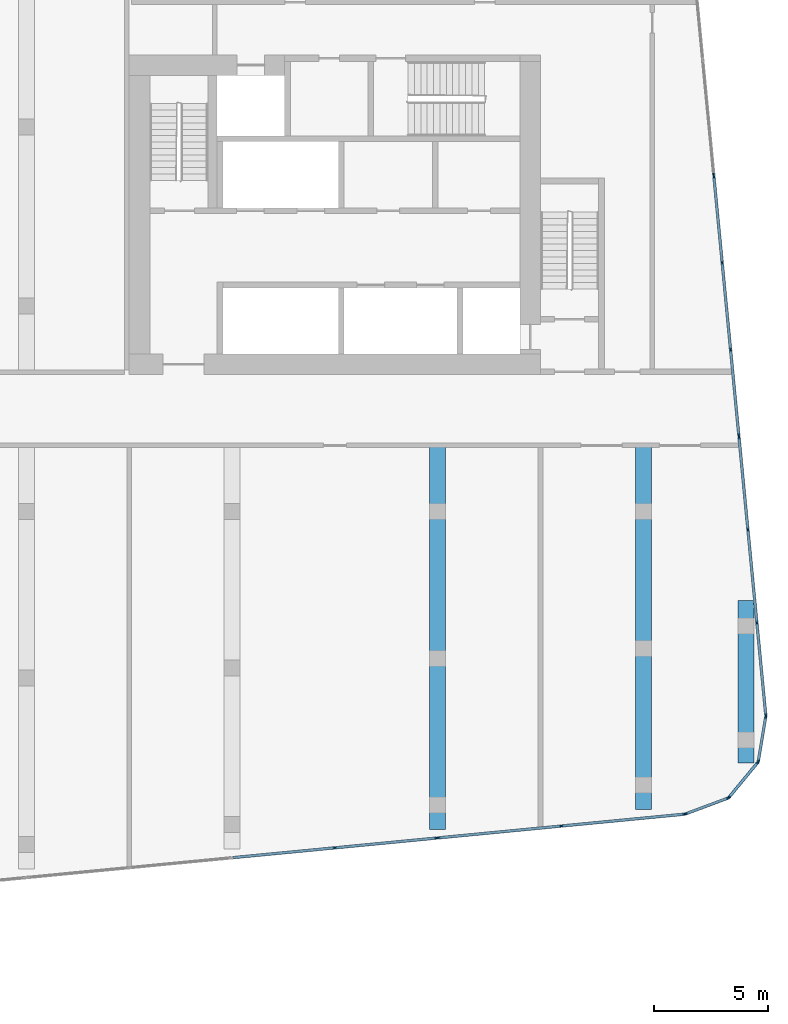
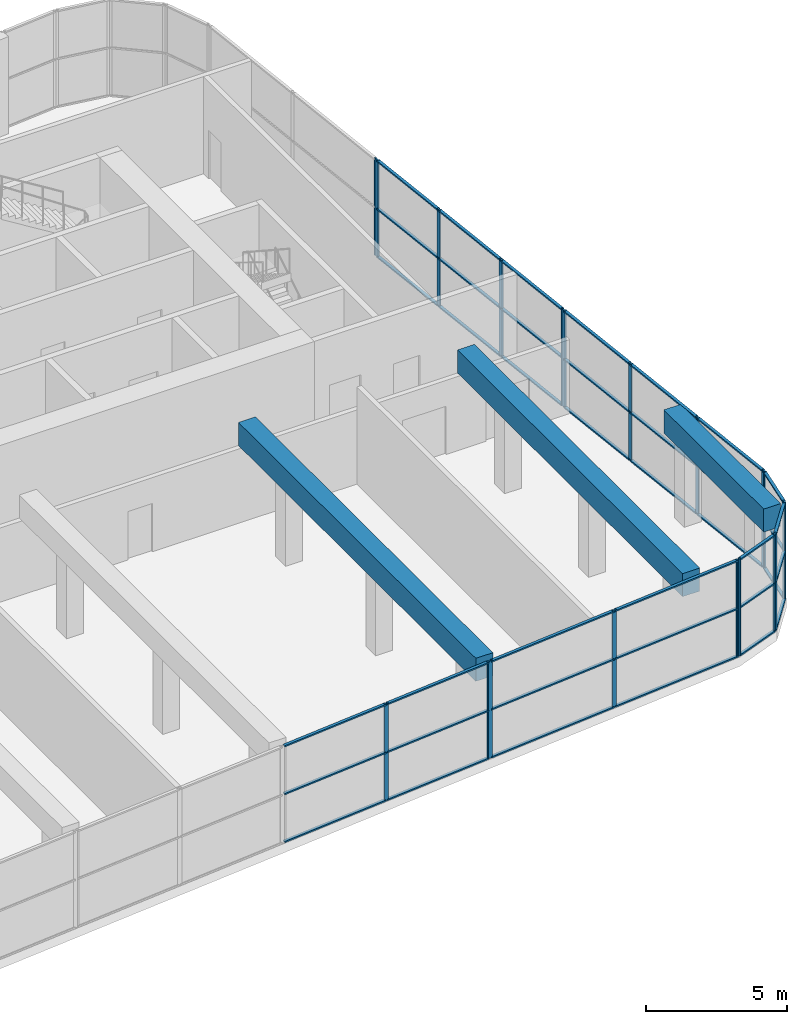
# One storey, part 8 of 21: 59 members, 3 beams, 8 elements without a shape of their own.
"""IFC4 building model written with IfcOpenShell, lengths in metres."""

from ifc_helpers import new_model, si_unit, direction, frame, origin, origin_2d, place, context, subcontext, project, spatial, rectangle, extrude, material, material_profile, profile_set, type_object, element, aggregate, save


model = new_model("IFC4")

# Units and contexts
model_context = context("Model", 3, precision=1e-05, world=origin(), true_north=direction((0.0, 1.0)))
body_context = subcontext(model_context, "Body", "Model", "MODEL_VIEW")
ifc_project = project(units=[si_unit("LENGTHUNIT", "METRE"), si_unit("AREAUNIT", "SQUARE_METRE"), si_unit("VOLUMEUNIT", "CUBIC_METRE"), si_unit("PLANEANGLEUNIT", "RADIAN"), si_unit("MASSUNIT", "GRAM", prefix="KILO")], contexts=[model_context])

# Site, building, storey
site_placement = place(None, origin())
site = spatial("IfcSite", under=ifc_project, at=site_placement, CompositionType="ELEMENT")
building_placement = place(site_placement, origin())
building = spatial("IfcBuilding", under=site, at=building_placement, Name="Kajstack Hotel Tower", CompositionType="ELEMENT")
storey_placement = place(building_placement, frame((0.0, 0.0, 162.39990234375)))
storey = spatial("IfcBuildingStorey", under=building, at=storey_placement, Name="L37", CompositionType="ELEMENT", Elevation=162.39990234375)

# Curtain wall, members
ifc_material_1 = material(Name="Aluminium-framed curtain wall, insulated glass with fritted edge", Category="aluminium")
curtain_wall_type = type_object("IfcCurtainWallType", Name="CW-SPA", PredefinedType="NOTDEFINED", material=ifc_material_1)
curtain_wall_1_placement = place(storey_placement, origin())
curtain_wall_1 = element("IfcCurtainWall", 1, at=curtain_wall_1_placement, inside=storey, type_object=curtain_wall_type, Name="Curtain wall CU7 L37-04-02-3", PredefinedType="NOTDEFINED")
ifc_material_2 = material(Name="Aluminium", Category="aluminium")
ifc_material_profile_1 = material_profile(ifc_material_2, rectangle(XDim=0.06005859375, YDim=0.179931640625, at=origin_2d()), Name="Aluminium mullion 60 x 180")
ifc_profile_set_1 = profile_set([ifc_material_profile_1], Name="Aluminium")
member_type_1 = type_object("IfcMemberType", Name="CW-M-SPA", PredefinedType="MULLION", material=ifc_profile_set_1)
member_1_placement = place(storey_placement, frame((22.49267578125, -19.21142578125, 0.0), z_axis=(0.0, 0.0, 1.0), x_axis=(-0.095845332373, 0.995396238823, 0.0)))
member_1 = element("IfcMember", 2, at=member_1_placement, type_object=member_type_1, Name="CU7 mullion 2", PredefinedType="MULLION", context=body_context, shape_type="SweptSolid", body=[
    extrude(rectangle(XDim=0.06005859375, YDim=0.179931640625, at=origin_2d()), origin(), (0.0, 0.0, 1.0), 4.22021484375),
])
member_2_placement = place(storey_placement, frame((26.962890625, -18.781005859375, 0.0), z_axis=(0.0, 0.0, 1.0), x_axis=(-0.095845332373, 0.995396238823, 0.0)))
member_2 = element("IfcMember", 3, at=member_2_placement, type_object=member_type_1, Name="CU7 mullion 3", PredefinedType="MULLION", context=body_context, shape_type="SweptSolid", body=[
    extrude(rectangle(XDim=0.06005859375, YDim=0.179931640625, at=origin_2d()), origin(), (0.0, 0.0, 1.0), 4.22021484375),
])

curtain_wall_2_placement = place(storey_placement, origin())
curtain_wall_2 = element("IfcCurtainWall", 4, at=curtain_wall_2_placement, inside=storey, type_object=curtain_wall_type, Name="Curtain wall CU7 L37-04-02-4", PredefinedType="NOTDEFINED")
member_3_placement = place(storey_placement, frame((27.022705078125, -18.775390625, 0.0), z_axis=(0.0, 0.0, 1.0), x_axis=(-0.095845408154, 0.995396231526, 0.0)))
member_3 = element("IfcMember", 5, at=member_3_placement, type_object=member_type_1, Name="CU7 mullion 1", PredefinedType="MULLION", context=body_context, shape_type="SweptSolid", body=[
    extrude(rectangle(XDim=0.06005859375, YDim=0.179931640625, at=origin_2d()), origin(), (0.0, 0.0, 1.0), 4.22021484375),
])
member_4_placement = place(storey_placement, frame((32.412841796875, -18.25634765625, 0.0), z_axis=(0.0, 0.0, 1.0), x_axis=(-0.095845408154, 0.995396231526, 0.0)))
member_4 = element("IfcMember", 6, at=member_4_placement, type_object=member_type_1, Name="CU7 mullion 2", PredefinedType="MULLION", context=body_context, shape_type="SweptSolid", body=[
    extrude(rectangle(XDim=0.06005859375, YDim=0.179931640625, at=origin_2d()), origin(), (0.0, 0.0, 1.0), 4.22021484375),
])
member_5_placement = place(storey_placement, frame((37.802978515625, -17.7373046875, 0.0), z_axis=(0.0, 0.0, 1.0), x_axis=(-0.095845408154, 0.995396231526, 0.0)))
member_5 = element("IfcMember", 7, at=member_5_placement, type_object=member_type_1, Name="CU7 mullion 3", PredefinedType="MULLION", context=body_context, shape_type="SweptSolid", body=[
    extrude(rectangle(XDim=0.06005859375, YDim=0.179931640625, at=origin_2d()), origin(), (0.0, 0.0, 1.0), 4.22021484375),
])

curtain_wall_3_placement = place(storey_placement, origin())
curtain_wall_3 = element("IfcCurtainWall", 8, at=curtain_wall_3_placement, inside=storey, type_object=curtain_wall_type, Name="Curtain wall CU7 L37-05-00-0", PredefinedType="NOTDEFINED")
member_6_placement = place(storey_placement, frame((37.842041015625, -17.728271484375, 0.0), z_axis=(0.0, 0.0, 1.0), x_axis=(-0.3502023187, 0.936674082046, 0.0)))
member_6 = element("IfcMember", 9, at=member_6_placement, type_object=member_type_1, Name="CU7 mullion 1", PredefinedType="MULLION", context=body_context, shape_type="SweptSolid", body=[
    extrude(rectangle(XDim=0.06005859375, YDim=0.179931640625, at=origin_2d()), origin(), (0.0, 0.0, 1.0), 4.22021484375),
])
member_7_placement = place(storey_placement, frame((39.72509765625, -17.024169921875, 0.0), z_axis=(0.0, 0.0, 1.0), x_axis=(-0.3502023187, 0.936674082046, 0.0)))
member_7 = element("IfcMember", 10, at=member_7_placement, type_object=member_type_1, Name="CU7 mullion 2", PredefinedType="MULLION", context=body_context, shape_type="SweptSolid", body=[
    extrude(rectangle(XDim=0.06005859375, YDim=0.179931640625, at=origin_2d()), origin(), (0.0, 0.0, 1.0), 4.22021484375),
])

curtain_wall_4_placement = place(storey_placement, origin())
curtain_wall_4 = element("IfcCurtainWall", 11, at=curtain_wall_4_placement, inside=storey, type_object=curtain_wall_type, Name="Curtain wall CU7 L37-06-00-0", PredefinedType="NOTDEFINED")
member_8_placement = place(storey_placement, frame((39.74072265625, -17.01318359375, 0.0), z_axis=(0.0, 0.0, 1.0), x_axis=(-0.771610892698, 0.636094828048, 0.0)))
member_8 = element("IfcMember", 12, at=member_8_placement, type_object=member_type_1, Name="CU7 mullion 1", PredefinedType="MULLION", context=body_context, shape_type="SweptSolid", body=[
    extrude(rectangle(XDim=0.06005859375, YDim=0.179931640625, at=origin_2d()), origin(), (0.0, 0.0, 1.0), 4.22021484375),
])
member_9_placement = place(storey_placement, frame((41.01953125, -15.461669921875, 0.0), z_axis=(0.0, 0.0, 1.0), x_axis=(-0.771610892698, 0.636094828048, 0.0)))
member_9 = element("IfcMember", 13, at=member_9_placement, type_object=member_type_1, Name="CU7 mullion 2", PredefinedType="MULLION", context=body_context, shape_type="SweptSolid", body=[
    extrude(rectangle(XDim=0.06005859375, YDim=0.179931640625, at=origin_2d()), origin(), (0.0, 0.0, 1.0), 4.22021484375),
])

curtain_wall_5_placement = place(storey_placement, origin())
curtain_wall_5 = element("IfcCurtainWall", 14, at=curtain_wall_5_placement, inside=storey, type_object=curtain_wall_type, Name="Curtain wall CU7 L37-07-00-0", PredefinedType="NOTDEFINED")
member_10_placement = place(storey_placement, frame((41.027587890625, -15.4443359375, 0.0), z_axis=(0.0, 0.0, 1.0), x_axis=(-0.986289302298, 0.165025489464, 0.0)))
member_10 = element("IfcMember", 15, at=member_10_placement, type_object=member_type_1, Name="CU7 mullion 1", PredefinedType="MULLION", context=body_context, shape_type="SweptSolid", body=[
    extrude(rectangle(XDim=0.06005859375, YDim=0.179931640625, at=origin_2d()), origin(), (0.0, 0.0, 1.0), 4.22021484375),
])
member_11_placement = place(storey_placement, frame((41.359375, -13.46142578125, 0.0), z_axis=(0.0, 0.0, 1.0), x_axis=(-0.986289302298, 0.165025489464, 0.0)))
member_11 = element("IfcMember", 16, at=member_11_placement, type_object=member_type_1, Name="CU7 mullion 2", PredefinedType="MULLION", context=body_context, shape_type="SweptSolid", body=[
    extrude(rectangle(XDim=0.06005859375, YDim=0.179931640625, at=origin_2d()), origin(), (0.0, 0.0, 1.0), 4.22021484375),
])

curtain_wall_6_placement = place(storey_placement, origin())
curtain_wall_6 = element("IfcCurtainWall", 17, at=curtain_wall_6_placement, inside=storey, type_object=curtain_wall_type, Name="Curtain wall CU7 L37-08-00-0", PredefinedType="NOTDEFINED")
member_12_placement = place(storey_placement, frame((41.36083984375, -13.42138671875, 0.0), z_axis=(0.0, 0.0, 1.0), x_axis=(-0.995396336495, -0.095844318002, 0.0)))
member_12 = element("IfcMember", 18, at=member_12_placement, type_object=member_type_1, Name="CU7 mullion 1", PredefinedType="MULLION", context=body_context, shape_type="SweptSolid", body=[
    extrude(rectangle(XDim=0.06005859375, YDim=0.179931640625, at=origin_2d()), origin(), (0.0, 0.0, 1.0), 4.22021484375),
])
member_13_placement = place(storey_placement, frame((40.970703125, -9.369873046875, 0.0), z_axis=(0.0, 0.0, 1.0), x_axis=(-0.995396336495, -0.095844318002, 0.0)))
member_13 = element("IfcMember", 19, at=member_13_placement, type_object=member_type_1, Name="CU7 mullion 2", PredefinedType="MULLION", context=body_context, shape_type="SweptSolid", body=[
    extrude(rectangle(XDim=0.06005859375, YDim=0.179931640625, at=origin_2d()), origin(), (0.0, 0.0, 1.0), 4.22021484375),
])
member_14_placement = place(storey_placement, frame((40.57763671875, -5.28857421875, 0.0), z_axis=(0.0, 0.0, 1.0), x_axis=(-0.995396336495, -0.095844318002, 0.0)))
member_14 = element("IfcMember", 20, at=member_14_placement, type_object=member_type_1, Name="CU7 mullion 3", PredefinedType="MULLION", context=body_context, shape_type="SweptSolid", body=[
    extrude(rectangle(XDim=0.06005859375, YDim=0.179931640625, at=origin_2d()), origin(), (0.0, 0.0, 1.0), 4.22021484375),
])
member_15_placement = place(storey_placement, frame((40.1875, -1.237060546875, 0.0), z_axis=(0.0, 0.0, 1.0), x_axis=(-0.995396336495, -0.095844318002, 0.0)))
member_15 = element("IfcMember", 21, at=member_15_placement, type_object=member_type_1, Name="CU7 mullion 4", PredefinedType="MULLION", context=body_context, shape_type="SweptSolid", body=[
    extrude(rectangle(XDim=0.06005859375, YDim=0.179931640625, at=origin_2d()), origin(), (0.0, 0.0, 1.0), 4.22021484375),
])

curtain_wall_7_placement = place(storey_placement, origin())
curtain_wall_7 = element("IfcCurtainWall", 22, at=curtain_wall_7_placement, inside=storey, type_object=curtain_wall_type, Name="Curtain wall CU7 L37-08-00-1", PredefinedType="NOTDEFINED")
member_16_placement = place(storey_placement, frame((40.181884765625, -1.17724609375, 0.0), z_axis=(0.0, 0.0, 1.0), x_axis=(-0.995396336722, -0.095844315639, 0.0)))
member_16 = element("IfcMember", 23, at=member_16_placement, type_object=member_type_1, Name="CU7 mullion 1", PredefinedType="MULLION", context=body_context, shape_type="SweptSolid", body=[
    extrude(rectangle(XDim=0.06005859375, YDim=0.179931640625, at=origin_2d()), origin(), (0.0, 0.0, 1.0), 4.22021484375),
])
member_17_placement = place(storey_placement, frame((39.81884765625, 2.5927734375, 0.0), z_axis=(0.0, 0.0, 1.0), x_axis=(-0.995396336722, -0.095844315639, 0.0)))
member_17 = element("IfcMember", 24, at=member_17_placement, type_object=member_type_1, Name="CU7 mullion 2", PredefinedType="MULLION", context=body_context, shape_type="SweptSolid", body=[
    extrude(rectangle(XDim=0.06005859375, YDim=0.179931640625, at=origin_2d()), origin(), (0.0, 0.0, 1.0), 4.22021484375),
])
member_18_placement = place(storey_placement, frame((39.452880859375, 6.392822265625, 0.0), z_axis=(0.0, 0.0, 1.0), x_axis=(-0.995396336722, -0.095844315639, 0.0)))
member_18 = element("IfcMember", 25, at=member_18_placement, type_object=member_type_1, Name="CU7 mullion 3", PredefinedType="MULLION", context=body_context, shape_type="SweptSolid", body=[
    extrude(rectangle(XDim=0.06005859375, YDim=0.179931640625, at=origin_2d()), origin(), (0.0, 0.0, 1.0), 4.22021484375),
])
member_19_placement = place(storey_placement, frame((39.08984375, 10.162841796875, 0.0), z_axis=(0.0, 0.0, 1.0), x_axis=(-0.995396336722, -0.095844315639, 0.0)))
member_19 = element("IfcMember", 26, at=member_19_placement, type_object=member_type_1, Name="CU7 mullion 4", PredefinedType="MULLION", context=body_context, shape_type="SweptSolid", body=[
    extrude(rectangle(XDim=0.06005859375, YDim=0.179931640625, at=origin_2d()), origin(), (0.0, 0.0, 1.0), 4.22021484375),
])

# Curtain wall, member
curtain_wall_8_placement = place(storey_placement, origin())
curtain_wall_8 = element("IfcCurtainWall", 27, at=curtain_wall_8_placement, inside=storey, type_object=curtain_wall_type, Name="Curtain wall CU7 L37-08-00-2", PredefinedType="NOTDEFINED")
member_20_placement = place(storey_placement, frame((39.084228515625, 10.22265625, 0.0), z_axis=(0.0, 0.0, 1.0), x_axis=(-0.995396332032, -0.095844364353, 0.0)))
member_20 = element("IfcMember", 28, at=member_20_placement, type_object=member_type_1, Name="CU7 mullion 1", PredefinedType="MULLION", context=body_context, shape_type="SweptSolid", body=[
    extrude(rectangle(XDim=0.06005859375, YDim=0.179931640625, at=origin_2d()), origin(), (0.0, 0.0, 1.0), 4.22021484375),
])
aggregate(curtain_wall_8, [member_20])

# Member
ifc_material_profile_2 = material_profile(ifc_material_2, rectangle(XDim=0.1201171875, YDim=0.06005859375, at=origin_2d()), Name="Aluminium transom 120 x 60")
ifc_profile_set_2 = profile_set([ifc_material_profile_2], Name="Aluminium")
member_type_2 = type_object("IfcMemberType", Name="CW-T-SPA", PredefinedType="USERDEFINED", material=ifc_profile_set_2)
member_21_placement = place(storey_placement, frame((18.052490234375, -19.63916015625, 0.030029296875), z_axis=(0.995393367938, 0.095875143106, 0.0), x_axis=(-0.095875143106, 0.995393367938, 0.0)))
member_21 = element("IfcMember", 29, at=member_21_placement, type_object=member_type_2, Name="CU7 transom 1.1", ObjectType="TRANSOM", PredefinedType="USERDEFINED", context=body_context, shape_type="SweptSolid", body=[
    extrude(rectangle(XDim=0.1201171875, YDim=0.06005859375, at=origin_2d()), origin(), (0.0, 0.0, 1.0), 4.430908203125),
])

member_22_placement = place(storey_placement, frame((18.052490234375, -19.63916015625, 2.110107421875), z_axis=(0.995393367938, 0.095875143106, 0.0), x_axis=(-0.095875143106, 0.995393367938, 0.0)))
member_22 = element("IfcMember", 30, at=member_22_placement, type_object=member_type_2, Name="CU7 transom 1.2", ObjectType="TRANSOM", PredefinedType="USERDEFINED", context=body_context, shape_type="SweptSolid", body=[
    extrude(rectangle(XDim=0.1201171875, YDim=0.06005859375, at=origin_2d()), origin(), (0.0, 0.0, 1.0), 4.430908203125),
])

member_23_placement = place(storey_placement, frame((18.052490234375, -19.63916015625, 4.190185546875), z_axis=(0.995393367938, 0.095875143106, 0.0), x_axis=(-0.095875143106, 0.995393367938, 0.0)))
member_23 = element("IfcMember", 31, at=member_23_placement, type_object=member_type_2, Name="CU7 transom 1.3", ObjectType="TRANSOM", PredefinedType="USERDEFINED", context=body_context, shape_type="SweptSolid", body=[
    extrude(rectangle(XDim=0.1201171875, YDim=0.06005859375, at=origin_2d()), origin(), (0.0, 0.0, 1.0), 4.430908203125),
])

member_24_placement = place(storey_placement, frame((22.522705078125, -19.208740234375, 0.030029296875), z_axis=(0.995393367938, 0.095875143106, 0.0), x_axis=(-0.095875143106, 0.995393367938, 0.0)))
member_24 = element("IfcMember", 32, at=member_24_placement, type_object=member_type_2, Name="CU7 transom 2.1", ObjectType="TRANSOM", PredefinedType="USERDEFINED", context=body_context, shape_type="SweptSolid", body=[
    extrude(rectangle(XDim=0.1201171875, YDim=0.06005859375, at=origin_2d()), origin(), (0.0, 0.0, 1.0), 4.430908203125),
])

member_25_placement = place(storey_placement, frame((22.522705078125, -19.208740234375, 2.110107421875), z_axis=(0.995393367938, 0.095875143106, 0.0), x_axis=(-0.095875143106, 0.995393367938, 0.0)))
member_25 = element("IfcMember", 33, at=member_25_placement, type_object=member_type_2, Name="CU7 transom 2.2", ObjectType="TRANSOM", PredefinedType="USERDEFINED", context=body_context, shape_type="SweptSolid", body=[
    extrude(rectangle(XDim=0.1201171875, YDim=0.06005859375, at=origin_2d()), origin(), (0.0, 0.0, 1.0), 4.430908203125),
])

member_26_placement = place(storey_placement, frame((22.522705078125, -19.208740234375, 4.190185546875), z_axis=(0.995393367938, 0.095875143106, 0.0), x_axis=(-0.095875143106, 0.995393367938, 0.0)))
member_26 = element("IfcMember", 34, at=member_26_placement, type_object=member_type_2, Name="CU7 transom 2.3", ObjectType="TRANSOM", PredefinedType="USERDEFINED", context=body_context, shape_type="SweptSolid", body=[
    extrude(rectangle(XDim=0.1201171875, YDim=0.06005859375, at=origin_2d()), origin(), (0.0, 0.0, 1.0), 4.430908203125),
])

aggregate(curtain_wall_1, [member_1, member_2, member_21, member_22, member_23, member_24, member_25, member_26])

member_27_placement = place(storey_placement, frame((27.052490234375, -18.7724609375, 0.030029296875), z_axis=(0.9953978296, 0.095828810013, 0.0), x_axis=(-0.095828810013, 0.9953978296, 0.0)))
member_27 = element("IfcMember", 35, at=member_27_placement, type_object=member_type_2, Name="CU7 transom 1.1", ObjectType="TRANSOM", PredefinedType="USERDEFINED", context=body_context, shape_type="SweptSolid", body=[
    extrude(rectangle(XDim=0.1201171875, YDim=0.06005859375, at=origin_2d()), origin(), (0.0, 0.0, 1.0), 5.355224609375),
])

member_28_placement = place(storey_placement, frame((27.052490234375, -18.7724609375, 2.110107421875), z_axis=(0.9953978296, 0.095828810013, 0.0), x_axis=(-0.095828810013, 0.9953978296, 0.0)))
member_28 = element("IfcMember", 36, at=member_28_placement, type_object=member_type_2, Name="CU7 transom 1.2", ObjectType="TRANSOM", PredefinedType="USERDEFINED", context=body_context, shape_type="SweptSolid", body=[
    extrude(rectangle(XDim=0.1201171875, YDim=0.06005859375, at=origin_2d()), origin(), (0.0, 0.0, 1.0), 5.355224609375),
])

member_29_placement = place(storey_placement, frame((27.052490234375, -18.7724609375, 4.190185546875), z_axis=(0.9953978296, 0.095828810013, 0.0), x_axis=(-0.095828810013, 0.9953978296, 0.0)))
member_29 = element("IfcMember", 37, at=member_29_placement, type_object=member_type_2, Name="CU7 transom 1.3", ObjectType="TRANSOM", PredefinedType="USERDEFINED", context=body_context, shape_type="SweptSolid", body=[
    extrude(rectangle(XDim=0.1201171875, YDim=0.06005859375, at=origin_2d()), origin(), (0.0, 0.0, 1.0), 5.355224609375),
])

member_30_placement = place(storey_placement, frame((32.442626953125, -18.25341796875, 0.030029296875), z_axis=(0.9953978296, 0.095828810013, 0.0), x_axis=(-0.095828810013, 0.9953978296, 0.0)))
member_30 = element("IfcMember", 38, at=member_30_placement, type_object=member_type_2, Name="CU7 transom 2.1", ObjectType="TRANSOM", PredefinedType="USERDEFINED", context=body_context, shape_type="SweptSolid", body=[
    extrude(rectangle(XDim=0.1201171875, YDim=0.06005859375, at=origin_2d()), origin(), (0.0, 0.0, 1.0), 5.355224609375),
])

member_31_placement = place(storey_placement, frame((32.442626953125, -18.25341796875, 2.110107421875), z_axis=(0.9953978296, 0.095828810013, 0.0), x_axis=(-0.095828810013, 0.9953978296, 0.0)))
member_31 = element("IfcMember", 39, at=member_31_placement, type_object=member_type_2, Name="CU7 transom 2.2", ObjectType="TRANSOM", PredefinedType="USERDEFINED", context=body_context, shape_type="SweptSolid", body=[
    extrude(rectangle(XDim=0.1201171875, YDim=0.06005859375, at=origin_2d()), origin(), (0.0, 0.0, 1.0), 5.355224609375),
])

member_32_placement = place(storey_placement, frame((32.442626953125, -18.25341796875, 4.190185546875), z_axis=(0.9953978296, 0.095828810013, 0.0), x_axis=(-0.095828810013, 0.9953978296, 0.0)))
member_32 = element("IfcMember", 40, at=member_32_placement, type_object=member_type_2, Name="CU7 transom 2.3", ObjectType="TRANSOM", PredefinedType="USERDEFINED", context=body_context, shape_type="SweptSolid", body=[
    extrude(rectangle(XDim=0.1201171875, YDim=0.06005859375, at=origin_2d()), origin(), (0.0, 0.0, 1.0), 5.355224609375),
])

aggregate(curtain_wall_2, [member_3, member_4, member_5, member_27, member_28, member_29, member_30, member_31, member_32])

member_33_placement = place(storey_placement, frame((37.8701171875, -17.7177734375, 0.030029296875), z_axis=(0.936663116963, 0.350231645231, 0.0), x_axis=(-0.350231645231, 0.936663116963, 0.0)))
member_33 = element("IfcMember", 41, at=member_33_placement, type_object=member_type_2, Name="CU7 transom 1.1", ObjectType="TRANSOM", PredefinedType="USERDEFINED", context=body_context, shape_type="SweptSolid", body=[
    extrude(rectangle(XDim=0.1201171875, YDim=0.06005859375, at=origin_2d()), origin(), (0.0, 0.0, 1.0), 1.950439453125),
])

member_34_placement = place(storey_placement, frame((37.8701171875, -17.7177734375, 2.110107421875), z_axis=(0.936663116963, 0.350231645231, 0.0), x_axis=(-0.350231645231, 0.936663116963, 0.0)))
member_34 = element("IfcMember", 42, at=member_34_placement, type_object=member_type_2, Name="CU7 transom 1.2", ObjectType="TRANSOM", PredefinedType="USERDEFINED", context=body_context, shape_type="SweptSolid", body=[
    extrude(rectangle(XDim=0.1201171875, YDim=0.06005859375, at=origin_2d()), origin(), (0.0, 0.0, 1.0), 1.950439453125),
])

member_35_placement = place(storey_placement, frame((37.8701171875, -17.7177734375, 4.190185546875), z_axis=(0.936663116963, 0.350231645231, 0.0), x_axis=(-0.350231645231, 0.936663116963, 0.0)))
member_35 = element("IfcMember", 43, at=member_35_placement, type_object=member_type_2, Name="CU7 transom 1.3", ObjectType="TRANSOM", PredefinedType="USERDEFINED", context=body_context, shape_type="SweptSolid", body=[
    extrude(rectangle(XDim=0.1201171875, YDim=0.06005859375, at=origin_2d()), origin(), (0.0, 0.0, 1.0), 1.950439453125),
])

aggregate(curtain_wall_3, [member_6, member_7, member_33, member_34, member_35])

member_36_placement = place(storey_placement, frame((39.759765625, -16.989990234375, 0.030029296875), z_axis=(0.636075700037, 0.771626660907, 0.0), x_axis=(-0.771626660907, 0.636075700037, 0.0)))
member_36 = element("IfcMember", 44, at=member_36_placement, type_object=member_type_2, Name="CU7 transom 1.1", ObjectType="TRANSOM", PredefinedType="USERDEFINED", context=body_context, shape_type="SweptSolid", body=[
    extrude(rectangle(XDim=0.1201171875, YDim=0.06005859375, at=origin_2d()), origin(), (0.0, 0.0, 1.0), 1.95068359375),
])

member_37_placement = place(storey_placement, frame((39.759765625, -16.989990234375, 2.110107421875), z_axis=(0.636075700037, 0.771626660907, 0.0), x_axis=(-0.771626660907, 0.636075700037, 0.0)))
member_37 = element("IfcMember", 45, at=member_37_placement, type_object=member_type_2, Name="CU7 transom 1.2", ObjectType="TRANSOM", PredefinedType="USERDEFINED", context=body_context, shape_type="SweptSolid", body=[
    extrude(rectangle(XDim=0.1201171875, YDim=0.06005859375, at=origin_2d()), origin(), (0.0, 0.0, 1.0), 1.95068359375),
])

member_38_placement = place(storey_placement, frame((39.759765625, -16.989990234375, 4.190185546875), z_axis=(0.636075700037, 0.771626660907, 0.0), x_axis=(-0.771626660907, 0.636075700037, 0.0)))
member_38 = element("IfcMember", 46, at=member_38_placement, type_object=member_type_2, Name="CU7 transom 1.3", ObjectType="TRANSOM", PredefinedType="USERDEFINED", context=body_context, shape_type="SweptSolid", body=[
    extrude(rectangle(XDim=0.1201171875, YDim=0.06005859375, at=origin_2d()), origin(), (0.0, 0.0, 1.0), 1.95068359375),
])

aggregate(curtain_wall_4, [member_8, member_9, member_36, member_37, member_38])

member_39_placement = place(storey_placement, frame((41.032470703125, -15.414794921875, 0.030029296875), z_axis=(0.165089030927, 0.986278668464, 0.0), x_axis=(-0.986278668464, 0.165089030927, 0.0)))
member_39 = element("IfcMember", 47, at=member_39_placement, type_object=member_type_2, Name="CU7 transom 1.1", ObjectType="TRANSOM", PredefinedType="USERDEFINED", context=body_context, shape_type="SweptSolid", body=[
    extrude(rectangle(XDim=0.1201171875, YDim=0.06005859375, at=origin_2d()), origin(), (0.0, 0.0, 1.0), 1.95068359375),
])

member_40_placement = place(storey_placement, frame((41.032470703125, -15.414794921875, 2.110107421875), z_axis=(0.165089030927, 0.986278668464, 0.0), x_axis=(-0.986278668464, 0.165089030927, 0.0)))
member_40 = element("IfcMember", 48, at=member_40_placement, type_object=member_type_2, Name="CU7 transom 1.2", ObjectType="TRANSOM", PredefinedType="USERDEFINED", context=body_context, shape_type="SweptSolid", body=[
    extrude(rectangle(XDim=0.1201171875, YDim=0.06005859375, at=origin_2d()), origin(), (0.0, 0.0, 1.0), 1.95068359375),
])

member_41_placement = place(storey_placement, frame((41.032470703125, -15.414794921875, 4.190185546875), z_axis=(0.165089030927, 0.986278668464, 0.0), x_axis=(-0.986278668464, 0.165089030927, 0.0)))
member_41 = element("IfcMember", 49, at=member_41_placement, type_object=member_type_2, Name="CU7 transom 1.3", ObjectType="TRANSOM", PredefinedType="USERDEFINED", context=body_context, shape_type="SweptSolid", body=[
    extrude(rectangle(XDim=0.1201171875, YDim=0.06005859375, at=origin_2d()), origin(), (0.0, 0.0, 1.0), 1.95068359375),
])

aggregate(curtain_wall_5, [member_10, member_11, member_39, member_40, member_41])

member_42_placement = place(storey_placement, frame((41.35791015625, -13.3916015625, 0.030029296875), z_axis=(-0.095826091482, 0.995398091314, 0.0), x_axis=(-0.995398091314, -0.095826091482, 0.0)))
member_42 = element("IfcMember", 50, at=member_42_placement, type_object=member_type_2, Name="CU7 transom 1.1", ObjectType="TRANSOM", PredefinedType="USERDEFINED", context=body_context, shape_type="SweptSolid", body=[
    extrude(rectangle(XDim=0.1201171875, YDim=0.06005859375, at=origin_2d()), origin(), (0.0, 0.0, 1.0), 4.01025390625),
])

member_43_placement = place(storey_placement, frame((41.35791015625, -13.3916015625, 2.110107421875), z_axis=(-0.095826091482, 0.995398091314, 0.0), x_axis=(-0.995398091314, -0.095826091482, 0.0)))
member_43 = element("IfcMember", 51, at=member_43_placement, type_object=member_type_2, Name="CU7 transom 1.2", ObjectType="TRANSOM", PredefinedType="USERDEFINED", context=body_context, shape_type="SweptSolid", body=[
    extrude(rectangle(XDim=0.1201171875, YDim=0.06005859375, at=origin_2d()), origin(), (0.0, 0.0, 1.0), 4.01025390625),
])

member_44_placement = place(storey_placement, frame((41.35791015625, -13.3916015625, 4.190185546875), z_axis=(-0.095826091482, 0.995398091314, 0.0), x_axis=(-0.995398091314, -0.095826091482, 0.0)))
member_44 = element("IfcMember", 52, at=member_44_placement, type_object=member_type_2, Name="CU7 transom 1.3", ObjectType="TRANSOM", PredefinedType="USERDEFINED", context=body_context, shape_type="SweptSolid", body=[
    extrude(rectangle(XDim=0.1201171875, YDim=0.06005859375, at=origin_2d()), origin(), (0.0, 0.0, 1.0), 4.01025390625),
])

member_45_placement = place(storey_placement, frame((40.9677734375, -9.340087890625, 0.030029296875), z_axis=(-0.095835604942, 0.995397175416, 0.0), x_axis=(-0.995397175416, -0.095835604942, 0.0)))
member_45 = element("IfcMember", 53, at=member_45_placement, type_object=member_type_2, Name="CU7 transom 2.1", ObjectType="TRANSOM", PredefinedType="USERDEFINED", context=body_context, shape_type="SweptSolid", body=[
    extrude(rectangle(XDim=0.1201171875, YDim=0.06005859375, at=origin_2d()), origin(), (0.0, 0.0, 1.0), 4.040283203125),
])

member_46_placement = place(storey_placement, frame((40.9677734375, -9.340087890625, 2.110107421875), z_axis=(-0.095835604942, 0.995397175416, 0.0), x_axis=(-0.995397175416, -0.095835604942, 0.0)))
member_46 = element("IfcMember", 54, at=member_46_placement, type_object=member_type_2, Name="CU7 transom 2.2", ObjectType="TRANSOM", PredefinedType="USERDEFINED", context=body_context, shape_type="SweptSolid", body=[
    extrude(rectangle(XDim=0.1201171875, YDim=0.06005859375, at=origin_2d()), origin(), (0.0, 0.0, 1.0), 4.040283203125),
])

member_47_placement = place(storey_placement, frame((40.9677734375, -9.340087890625, 4.190185546875), z_axis=(-0.095835604942, 0.995397175416, 0.0), x_axis=(-0.995397175416, -0.095835604942, 0.0)))
member_47 = element("IfcMember", 55, at=member_47_placement, type_object=member_type_2, Name="CU7 transom 2.3", ObjectType="TRANSOM", PredefinedType="USERDEFINED", context=body_context, shape_type="SweptSolid", body=[
    extrude(rectangle(XDim=0.1201171875, YDim=0.06005859375, at=origin_2d()), origin(), (0.0, 0.0, 1.0), 4.040283203125),
])

member_48_placement = place(storey_placement, frame((40.57470703125, -5.2587890625, 0.030029296875), z_axis=(-0.095820284728, 0.995398650308, 0.0), x_axis=(-0.995398650308, -0.095820284728, 0.0)))
member_48 = element("IfcMember", 56, at=member_48_placement, type_object=member_type_2, Name="CU7 transom 3.1", ObjectType="TRANSOM", PredefinedType="USERDEFINED", context=body_context, shape_type="SweptSolid", body=[
    extrude(rectangle(XDim=0.1201171875, YDim=0.06005859375, at=origin_2d()), origin(), (0.0, 0.0, 1.0), 4.010498046875),
])

member_49_placement = place(storey_placement, frame((40.57470703125, -5.2587890625, 2.110107421875), z_axis=(-0.095820284728, 0.995398650308, 0.0), x_axis=(-0.995398650308, -0.095820284728, 0.0)))
member_49 = element("IfcMember", 57, at=member_49_placement, type_object=member_type_2, Name="CU7 transom 3.2", ObjectType="TRANSOM", PredefinedType="USERDEFINED", context=body_context, shape_type="SweptSolid", body=[
    extrude(rectangle(XDim=0.1201171875, YDim=0.06005859375, at=origin_2d()), origin(), (0.0, 0.0, 1.0), 4.010498046875),
])

member_50_placement = place(storey_placement, frame((40.57470703125, -5.2587890625, 4.190185546875), z_axis=(-0.095820284728, 0.995398650308, 0.0), x_axis=(-0.995398650308, -0.095820284728, 0.0)))
member_50 = element("IfcMember", 58, at=member_50_placement, type_object=member_type_2, Name="CU7 transom 3.3", ObjectType="TRANSOM", PredefinedType="USERDEFINED", context=body_context, shape_type="SweptSolid", body=[
    extrude(rectangle(XDim=0.1201171875, YDim=0.06005859375, at=origin_2d()), origin(), (0.0, 0.0, 1.0), 4.010498046875),
])

aggregate(curtain_wall_6, [member_12, member_13, member_14, member_15, member_42, member_43, member_44, member_45, member_46, member_47, member_48, member_49, member_50])

member_51_placement = place(storey_placement, frame((40.178955078125, -1.1474609375, 0.030029296875), z_axis=(-0.095819733063, 0.995398703413, 0.0), x_axis=(-0.995398703413, -0.095819733063, 0.0)))
member_51 = element("IfcMember", 59, at=member_51_placement, type_object=member_type_2, Name="CU7 transom 1.1", ObjectType="TRANSOM", PredefinedType="USERDEFINED", context=body_context, shape_type="SweptSolid", body=[
    extrude(rectangle(XDim=0.1201171875, YDim=0.06005859375, at=origin_2d()), origin(), (0.0, 0.0, 1.0), 3.7275390625),
])

member_52_placement = place(storey_placement, frame((40.178955078125, -1.1474609375, 2.110107421875), z_axis=(-0.095819733063, 0.995398703413, 0.0), x_axis=(-0.995398703413, -0.095819733063, 0.0)))
member_52 = element("IfcMember", 60, at=member_52_placement, type_object=member_type_2, Name="CU7 transom 1.2", ObjectType="TRANSOM", PredefinedType="USERDEFINED", context=body_context, shape_type="SweptSolid", body=[
    extrude(rectangle(XDim=0.1201171875, YDim=0.06005859375, at=origin_2d()), origin(), (0.0, 0.0, 1.0), 3.7275390625),
])

member_53_placement = place(storey_placement, frame((40.178955078125, -1.1474609375, 4.190185546875), z_axis=(-0.095819733063, 0.995398703413, 0.0), x_axis=(-0.995398703413, -0.095819733063, 0.0)))
member_53 = element("IfcMember", 61, at=member_53_placement, type_object=member_type_2, Name="CU7 transom 1.3", ObjectType="TRANSOM", PredefinedType="USERDEFINED", context=body_context, shape_type="SweptSolid", body=[
    extrude(rectangle(XDim=0.1201171875, YDim=0.06005859375, at=origin_2d()), origin(), (0.0, 0.0, 1.0), 3.7275390625),
])

member_54_placement = place(storey_placement, frame((39.81591796875, 2.62255859375, 0.030029296875), z_axis=(-0.095830012913, 0.995397713793, 0.0), x_axis=(-0.995397713793, -0.095830012913, 0.0)))
member_54 = element("IfcMember", 62, at=member_54_placement, type_object=member_type_2, Name="CU7 transom 2.1", ObjectType="TRANSOM", PredefinedType="USERDEFINED", context=body_context, shape_type="SweptSolid", body=[
    extrude(rectangle(XDim=0.1201171875, YDim=0.06005859375, at=origin_2d()), origin(), (0.0, 0.0, 1.0), 3.7578125),
])

member_55_placement = place(storey_placement, frame((39.81591796875, 2.62255859375, 2.110107421875), z_axis=(-0.095830012913, 0.995397713793, 0.0), x_axis=(-0.995397713793, -0.095830012913, 0.0)))
member_55 = element("IfcMember", 63, at=member_55_placement, type_object=member_type_2, Name="CU7 transom 2.2", ObjectType="TRANSOM", PredefinedType="USERDEFINED", context=body_context, shape_type="SweptSolid", body=[
    extrude(rectangle(XDim=0.1201171875, YDim=0.06005859375, at=origin_2d()), origin(), (0.0, 0.0, 1.0), 3.7578125),
])

member_56_placement = place(storey_placement, frame((39.81591796875, 2.62255859375, 4.190185546875), z_axis=(-0.095830012913, 0.995397713793, 0.0), x_axis=(-0.995397713793, -0.095830012913, 0.0)))
member_56 = element("IfcMember", 64, at=member_56_placement, type_object=member_type_2, Name="CU7 transom 2.3", ObjectType="TRANSOM", PredefinedType="USERDEFINED", context=body_context, shape_type="SweptSolid", body=[
    extrude(rectangle(XDim=0.1201171875, YDim=0.06005859375, at=origin_2d()), origin(), (0.0, 0.0, 1.0), 3.7578125),
])

member_57_placement = place(storey_placement, frame((39.449951171875, 6.422607421875, 0.030029296875), z_axis=(-0.095819733063, 0.995398703413, 0.0), x_axis=(-0.995398703413, -0.095819733063, 0.0)))
member_57 = element("IfcMember", 65, at=member_57_placement, type_object=member_type_2, Name="CU7 transom 3.1", ObjectType="TRANSOM", PredefinedType="USERDEFINED", context=body_context, shape_type="SweptSolid", body=[
    extrude(rectangle(XDim=0.1201171875, YDim=0.06005859375, at=origin_2d()), origin(), (0.0, 0.0, 1.0), 3.7275390625),
])

member_58_placement = place(storey_placement, frame((39.449951171875, 6.422607421875, 2.110107421875), z_axis=(-0.095819733063, 0.995398703413, 0.0), x_axis=(-0.995398703413, -0.095819733063, 0.0)))
member_58 = element("IfcMember", 66, at=member_58_placement, type_object=member_type_2, Name="CU7 transom 3.2", ObjectType="TRANSOM", PredefinedType="USERDEFINED", context=body_context, shape_type="SweptSolid", body=[
    extrude(rectangle(XDim=0.1201171875, YDim=0.06005859375, at=origin_2d()), origin(), (0.0, 0.0, 1.0), 3.7275390625),
])

member_59_placement = place(storey_placement, frame((39.449951171875, 6.422607421875, 4.190185546875), z_axis=(-0.095819733063, 0.995398703413, 0.0), x_axis=(-0.995398703413, -0.095819733063, 0.0)))
member_59 = element("IfcMember", 67, at=member_59_placement, type_object=member_type_2, Name="CU7 transom 3.3", ObjectType="TRANSOM", PredefinedType="USERDEFINED", context=body_context, shape_type="SweptSolid", body=[
    extrude(rectangle(XDim=0.1201171875, YDim=0.06005859375, at=origin_2d()), origin(), (0.0, 0.0, 1.0), 3.7275390625),
])

aggregate(curtain_wall_7, [member_16, member_17, member_18, member_19, member_51, member_52, member_53, member_54, member_55, member_56, member_57, member_58, member_59])

# Beams
ifc_material_3 = material(Name="Concrete C60/75", Category="concrete")
ifc_material_profile_3 = material_profile(ifc_material_3, rectangle(XDim=0.699951171875, YDim=1.0, at=origin_2d()), Name="RC 700x1000")
ifc_profile_set_3 = profile_set([ifc_material_profile_3], Name="Concrete C60/75")
beam_type = type_object("IfcBeamType", Name="TG3 RC 700x1000 C60/75", PredefinedType="BEAM", material=ifc_profile_set_3)
beam_1_placement = place(storey_placement, frame((27.0, -18.40087890625, 3.72021484375), z_axis=(0.0, 1.0, 0.0), x_axis=(-1.0, 0.0, 0.0)))
element("IfcBeam", 68, at=beam_1_placement, inside=storey, type_object=beam_type, Name="S-girder-L37-+27p0-1", PredefinedType="BEAM", context=body_context, shape_type="SweptSolid", body=[
    extrude(rectangle(XDim=0.699951171875, YDim=1.0, at=origin_2d()), origin(), (0.0, 0.0, 1.0), 16.90087890625),
])
beam_2_placement = place(storey_placement, frame((36.0, -17.5341796875, 3.72021484375), z_axis=(0.0, 1.0, 0.0), x_axis=(-1.0, 0.0, 0.0)))
element("IfcBeam", 69, at=beam_2_placement, inside=storey, type_object=beam_type, Name="S-girder-L37-+36p0-1", PredefinedType="BEAM", context=body_context, shape_type="SweptSolid", body=[
    extrude(rectangle(XDim=0.699951171875, YDim=1.0, at=origin_2d()), origin(), (0.0, 0.0, 1.0), 16.0341796875),
])
beam_3_placement = place(storey_placement, frame((40.5, -15.502685546875, 3.72021484375), z_axis=(0.0, 1.0, 0.0), x_axis=(-1.0, 0.0, 0.0)))
element("IfcBeam", 70, at=beam_3_placement, inside=storey, type_object=beam_type, Name="S-girder-L37-+40p5-1", PredefinedType="BEAM", context=body_context, shape_type="SweptSolid", body=[
    extrude(rectangle(XDim=0.699951171875, YDim=1.0, at=origin_2d()), origin(), (0.0, 0.0, 1.0), 7.1083984375),
])

save(model, "model.ifc")
